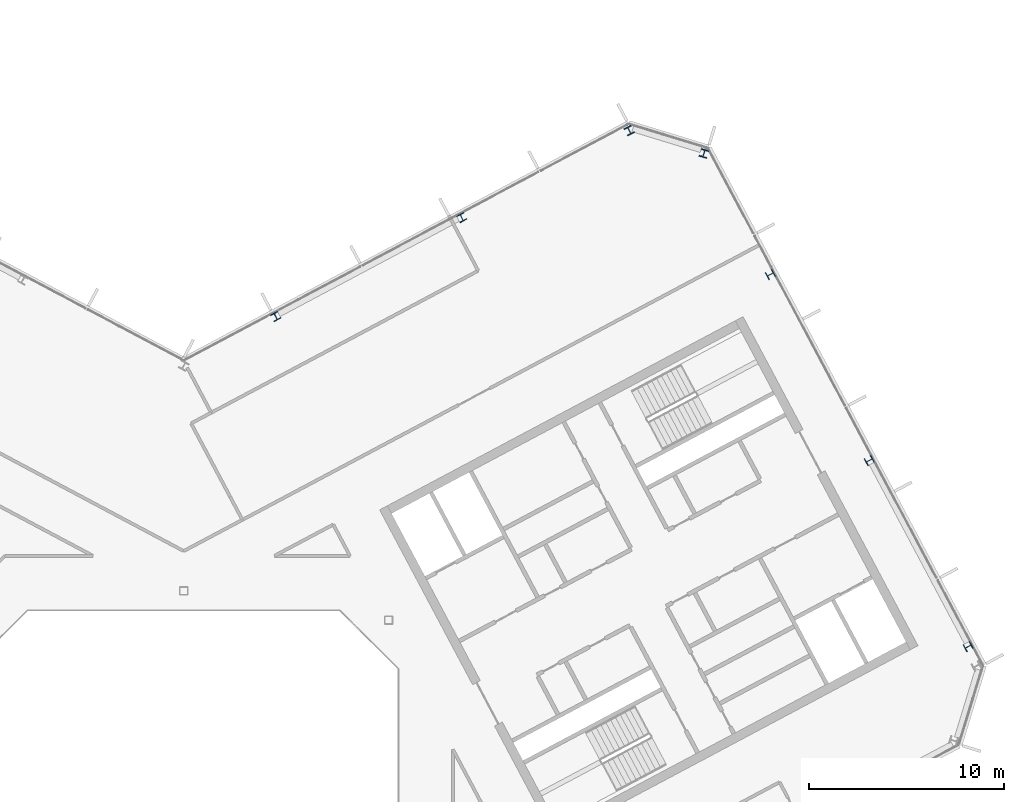
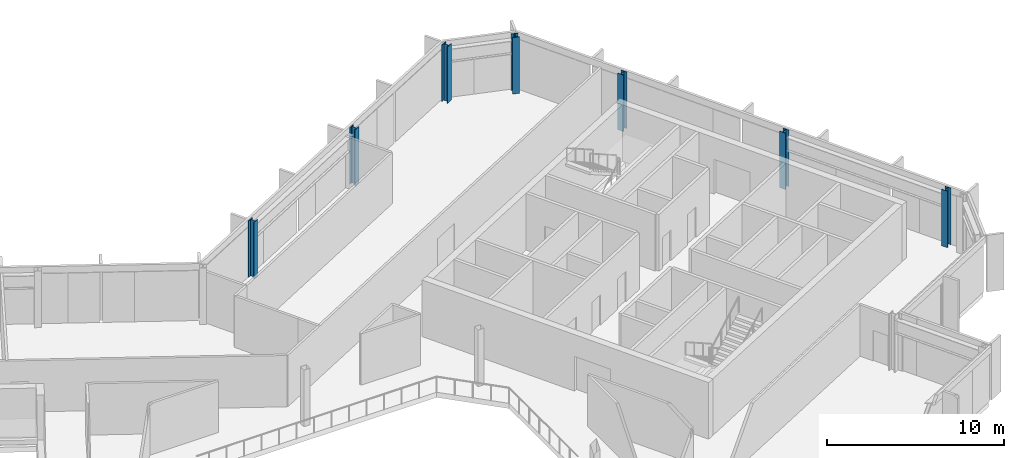
# One storey, part 7 of 26: 7 columns.
"""IFC4 building model written with IfcOpenShell, lengths in metres."""

from ifc_helpers import new_model, si_unit, direction, frame, origin, origin_2d, place, context, subcontext, project, spatial, i_section, extrude, material, material_profile, profile_set, type_object, element, save


model = new_model("IFC4")

# Units and contexts
model_context = context("Model", 3, precision=1e-05, world=origin(), true_north=direction((0.0, 1.0)))
body_context = subcontext(model_context, "Body", "Model", "MODEL_VIEW")
ifc_project = project(units=[si_unit("LENGTHUNIT", "METRE"), si_unit("AREAUNIT", "SQUARE_METRE"), si_unit("VOLUMEUNIT", "CUBIC_METRE"), si_unit("PLANEANGLEUNIT", "RADIAN"), si_unit("MASSUNIT", "GRAM", prefix="KILO")], contexts=[model_context])

# Site, building, storey
site_placement = place(None, origin())
site = spatial("IfcSite", under=ifc_project, at=site_placement, CompositionType="ELEMENT")
building_placement = place(site_placement, origin())
building = spatial("IfcBuilding", under=site, at=building_placement, Name="Cormorant Relay Tower", CompositionType="ELEMENT")
storey_placement = place(building_placement, frame((0.0, 0.0, 300.89990234375)))
storey = spatial("IfcBuildingStorey", under=building, at=storey_placement, Name="L68", CompositionType="ELEMENT", Elevation=300.89990234375)

# Columns
ifc_material_1 = material(Name="Steel ASTM A992 (Fy 345 MPa)", Category="steel")
ifc_material_profile_1 = material_profile(ifc_material_1, i_section(OverallWidth=0.398681640625, OverallDepth=0.385986328125, WebThickness=0.02099609375, FlangeThickness=0.033203125, FilletRadius=0.01513671875, at=origin_2d()), Name="W360x262")
ifc_profile_set_1 = profile_set([ifc_material_profile_1], Name="Steel ASTM A992 (Fy 345 MPa)")
column_type_1 = type_object("IfcColumnType", Name="Column W360x262", PredefinedType="COLUMN", material=ifc_profile_set_1)
for number, where, z_axis, x_axis, name in (
    (1, (40.2119140625, 9.14892578125, 0.0), (0.0, 0.0, 1.0), (-0.469471562786, 0.882947592859, 0.0), "Column L68-021"),
    (2, (35.14111328125, 18.68505859375, 0.0), (0.0, 0.0, 1.0), (-0.469471562786, 0.882947592859, 0.0), "Column L68-027"),
    (3, (4.715087890625, 26.06494140625, 0.0), (0.0, 0.0, 1.0), (-0.882947592859, -0.469471562786, 0.0), "Column L68-031"),
    (4, (30.071044921875, 28.220947265625, 0.0), (0.0, 0.0, 1.0), (-0.469471562786, 0.882947592859, 0.0), "Column L68-033"),
    (5, (14.2509765625, 31.135009765625, 0.0), (0.0, 0.0, 1.0), (-0.882947592859, -0.469471562786, 0.0), "Column L68-035"),
):
    element("IfcColumn", number, at=place(storey_placement, frame(where, z_axis=z_axis, x_axis=x_axis)), inside=storey, type_object=column_type_1, Name=name, PredefinedType="COLUMN", context=body_context, shape_type="SweptSolid", body=[
        extrude(i_section(OverallWidth=0.398681640625, OverallDepth=0.385986328125, WebThickness=0.02099609375, FlangeThickness=0.033203125, FilletRadius=0.01513671875, at=origin_2d()), origin(), (0.0, 0.0, 1.0), 3.900146484375),
    ])
ifc_material_2 = material(Name="Steel ASTM A992 (Fy 345 MPa)", Category="steel")
ifc_material_profile_2 = material_profile(ifc_material_2, i_section(OverallWidth=0.40380859375, OverallDepth=0.406494140625, WebThickness=0.027099609375, FlangeThickness=0.043701171875, FilletRadius=0.01513671875, at=origin_2d()), Name="W360x347")
ifc_profile_set_2 = profile_set([ifc_material_profile_2], Name="Steel ASTM A992 (Fy 345 MPa)")
column_type_2 = type_object("IfcColumnType", Name="Column W360x347", PredefinedType="COLUMN", material=ifc_profile_set_2)
for number, where, z_axis, x_axis, name in (
    (6, (26.6640625, 34.425048828125, 0.0), (0.0, 0.0, 1.0), (-0.956304755963, 0.292371704723, 0.0), "Column L68-038"),
    (7, (22.841064453125, 35.593994140625, 0.0), (0.0, 0.0, 1.0), (-0.882947592859, -0.469471562786, 0.0), "Column L68-039"),
):
    element("IfcColumn", number, at=place(storey_placement, frame(where, z_axis=z_axis, x_axis=x_axis)), inside=storey, type_object=column_type_2, Name=name, PredefinedType="COLUMN", context=body_context, shape_type="SweptSolid", body=[
        extrude(i_section(OverallWidth=0.40380859375, OverallDepth=0.406494140625, WebThickness=0.027099609375, FlangeThickness=0.043701171875, FilletRadius=0.01513671875, at=origin_2d()), origin(), (0.0, 0.0, 1.0), 3.900146484375),
    ])

save(model, "model.ifc")
